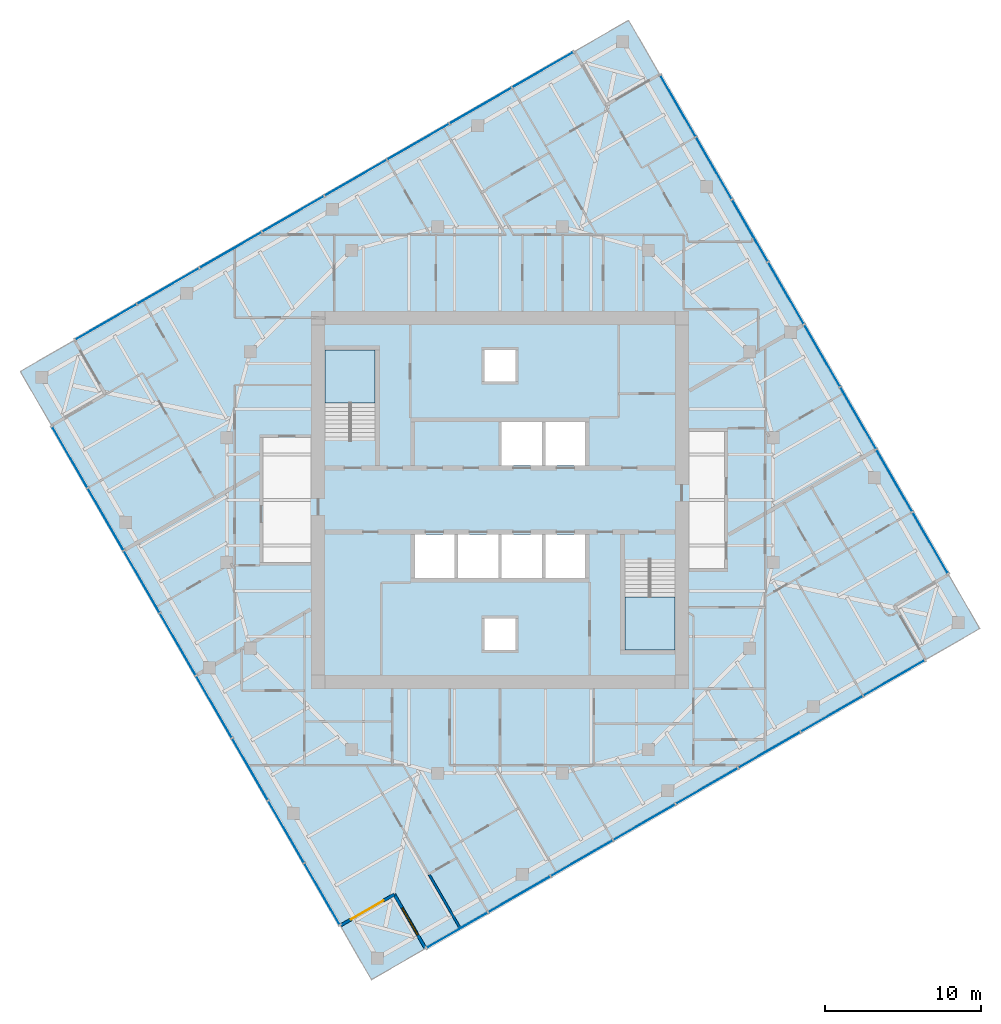
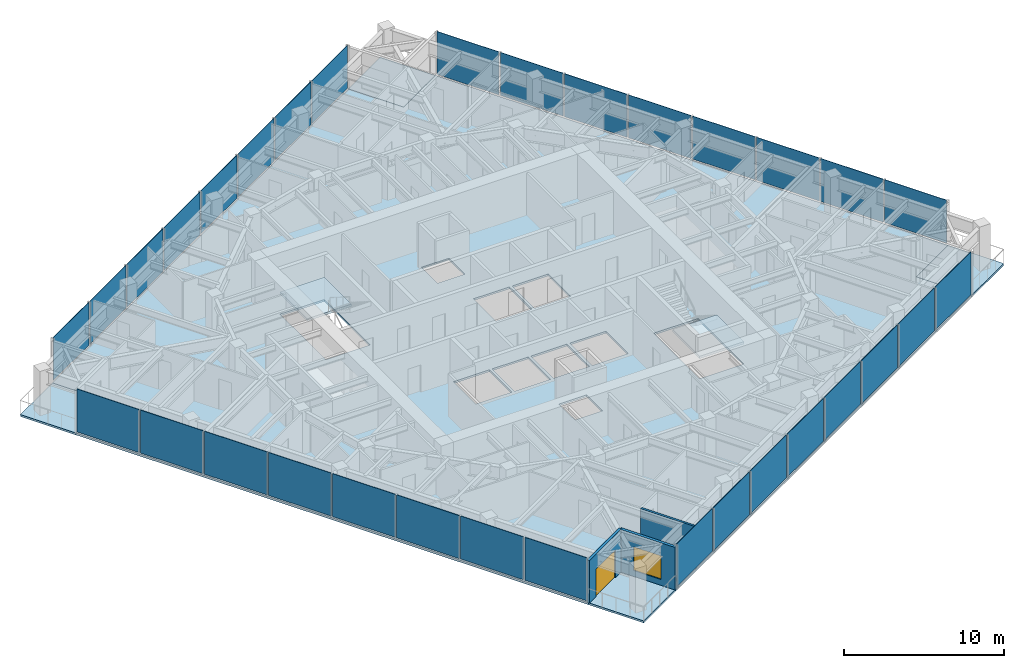
# One storey, part 6 of 13: 32 plates, 7 slabs, 3 walls, 1 door, 1 window, 2 openings, 6 elements without a shape of their own.
"""IFC4 building model written with IfcOpenShell, lengths in metres."""

from ifc_helpers import new_model, si_unit, direction, frame, frame_2d, origin, origin_2d, place, context, subcontext, project, spatial, polyline, rectangle, outline, extrude, material, layer, layer_set, type_object, element, fill, aggregate, save


model = new_model("IFC4")

# Units and contexts
model_context = context("Model", 3, precision=1e-05, world=origin(), true_north=direction((0.0, 1.0)))
body_context = subcontext(model_context, "Body", "Model", "MODEL_VIEW")
ifc_project = project(units=[si_unit("LENGTHUNIT", "METRE"), si_unit("AREAUNIT", "SQUARE_METRE"), si_unit("VOLUMEUNIT", "CUBIC_METRE"), si_unit("PLANEANGLEUNIT", "RADIAN"), si_unit("MASSUNIT", "GRAM", prefix="KILO")], contexts=[model_context])

# Site, building, storey
site_placement = place(None, origin())
site = spatial("IfcSite", under=ifc_project, at=site_placement, CompositionType="ELEMENT")
building_placement = place(site_placement, origin())
building = spatial("IfcBuilding", under=site, at=building_placement, Name="Torsade Residences", CompositionType="ELEMENT")
storey_placement = place(building_placement, frame((0.0, 0.0, 208.199951171875)))
storey = spatial("IfcBuildingStorey", under=building, at=storey_placement, Name="L57", CompositionType="ELEMENT", Elevation=208.199951171875)

# Slab
ifc_material_1 = material(Name="Concrete 40 MPa", Category="concrete")
ifc_layer_1 = layer(ifc_material_1, 0.14990234375)
ifc_layer_set_1 = layer_set([ifc_layer_1], Name="Concrete 40 MPa")
slab_type_1 = type_object("IfcSlabType", Name="COMPOSITE FLOOR SLAB 150", PredefinedType="FLOOR", material=ifc_layer_set_1)
slab_1_placement = place(storey_placement, frame((0.0, 0.0, -0.14990234375)))
element("IfcSlab", 1, at=slab_1_placement, inside=storey, type_object=slab_type_1, Name="Floor slab L57", PredefinedType="FLOOR", context=body_context, shape_type="SweptSolid", body=[
    extrude(outline(polyline([(35.228515625, 1.264404296875), (67.271484375, 19.764404296875), (65.271484375, 23.228515625), (68.735595703125, 25.228515625), (50.235595703125, 57.271484375), (46.771484375, 55.271484375), (44.771484375, 58.735595703125), (12.728515625, 40.235595703125), (14.728515625, 36.771484375), (11.264404296875, 34.771484375), (29.764404296875, 2.728515625), (33.228515625, 4.728515625), (35.228515625, 1.264404296875)]), holes=[polyline([(51.199951171875, 26.1201171875), (48.0, 26.1201171875), (48.0, 20.39990234375), (51.199951171875, 20.39990234375), (51.199951171875, 26.1201171875)]), polyline([(45.5, 27.800048828125), (42.89990234375, 27.800048828125), (42.89990234375, 25.0), (45.5, 25.0), (45.5, 27.800048828125)]), polyline([(45.5, 35.0), (42.89990234375, 35.0), (42.89990234375, 32.199951171875), (45.5, 32.199951171875), (45.5, 35.0)]), polyline([(42.699951171875, 25.0), (42.699951171875, 27.800048828125), (40.10009765625, 27.800048828125), (40.10009765625, 25.0), (42.699951171875, 25.0)]), polyline([(42.699951171875, 35.0), (40.10009765625, 35.0), (40.10009765625, 32.199951171875), (42.699951171875, 32.199951171875), (42.699951171875, 35.0)]), polyline([(41.0, 22.39990234375), (39.0, 22.39990234375), (39.0, 20.39990234375), (41.0, 20.39990234375), (41.0, 22.39990234375)]), polyline([(41.0, 37.60009765625), (41.0, 39.60009765625), (39.0, 39.60009765625), (39.0, 37.60009765625), (41.0, 37.60009765625)]), polyline([(39.89990234375, 25.0), (39.89990234375, 27.800048828125), (37.300048828125, 27.800048828125), (37.300048828125, 25.0), (39.89990234375, 25.0)]), polyline([(37.10009765625, 27.800048828125), (34.5, 27.800048828125), (34.5, 25.0), (37.10009765625, 25.0), (37.10009765625, 27.800048828125)]), polyline([(32.0, 33.8798828125), (32.0, 39.60009765625), (28.800048828125, 39.60009765625), (28.800048828125, 33.8798828125), (32.0, 33.8798828125)])]), origin(), (0.0, 0.0, 1.0), 0.14990234375),
])

# Curtain wall, plates
ifc_material_2 = material(Name="Aluminium and glass", Category="aluminium")
curtain_wall_type = type_object("IfcCurtainWallType", Name="FRITTED GLASS CURTAIN WALL HIGH ZONE", PredefinedType="NOTDEFINED", material=ifc_material_2)
curtain_wall_1_placement = place(storey_placement, origin())
curtain_wall_1 = element("IfcCurtainWall", 2, at=curtain_wall_1_placement, inside=storey, type_object=curtain_wall_type, Name="Curtain wall L57 face 1", PredefinedType="NOTDEFINED")
ifc_material_3 = material(Name="Laminated glass", Category="glass")
ifc_layer_2 = layer(ifc_material_3, 0.031982421875)
ifc_layer_set_2 = layer_set([ifc_layer_2], Name="Laminated glass")
plate_type_1 = type_object("IfcPlateType", Name="FRITTED GLASS PANEL", PredefinedType="CURTAIN_PANEL", material=ifc_layer_set_2)
plate_1_placement = place(storey_placement, frame((37.2529296875, 2.43310546875, 0.1201171875), z_axis=(0.0, 0.0, 1.0), x_axis=(0.866025404186, 0.499999999305, 0.0)))
plate_1 = element("IfcPlate", 3, at=plate_1_placement, type_object=plate_type_1, Name="Panel 1", PredefinedType="CURTAIN_PANEL", context=body_context, shape_type="SweptSolid", body=[
    extrude(rectangle(XDim=4.47509765625, YDim=0.031982421875, at=origin_2d()), origin(), (0.0, 0.0, 1.0), 3.280029296875),
])
plate_2_placement = place(storey_placement, frame((45.241943359375, 7.045654296875, 0.1201171875), z_axis=(0.0, 0.0, 1.0), x_axis=(0.866025404186, 0.499999999305, 0.0)))
plate_2 = element("IfcPlate", 4, at=plate_2_placement, type_object=plate_type_1, Name="Panel 3", PredefinedType="CURTAIN_PANEL", context=body_context, shape_type="SweptSolid", body=[
    extrude(rectangle(XDim=4.52490234375, YDim=0.031982421875, at=origin_2d()), origin(), (0.0, 0.0, 1.0), 3.280029296875),
])
plate_3_placement = place(storey_placement, frame((49.247314453125, 9.358154296875, 0.1201171875), z_axis=(0.0, 0.0, 1.0), x_axis=(0.866025404186, 0.499999999305, 0.0)))
plate_3 = element("IfcPlate", 5, at=plate_3_placement, type_object=plate_type_1, Name="Panel 4", PredefinedType="CURTAIN_PANEL", context=body_context, shape_type="SweptSolid", body=[
    extrude(rectangle(XDim=4.52490234375, YDim=0.031982421875, at=origin_2d()), origin(), (0.0, 0.0, 1.0), 3.280029296875),
])
plate_4_placement = place(storey_placement, frame((53.252685546875, 11.670654296875, 0.1201171875), z_axis=(0.0, 0.0, 1.0), x_axis=(0.866025404186, 0.499999999305, 0.0)))
plate_4 = element("IfcPlate", 6, at=plate_4_placement, type_object=plate_type_1, Name="Panel 5", PredefinedType="CURTAIN_PANEL", context=body_context, shape_type="SweptSolid", body=[
    extrude(rectangle(XDim=4.52490234375, YDim=0.031982421875, at=origin_2d()), origin(), (0.0, 0.0, 1.0), 3.280029296875),
])
plate_5_placement = place(storey_placement, frame((61.263427734375, 16.295654296875, 0.1201171875), z_axis=(0.0, 0.0, 1.0), x_axis=(0.866025404186, 0.499999999305, 0.0)))
plate_5 = element("IfcPlate", 7, at=plate_5_placement, type_object=plate_type_1, Name="Panel 7", PredefinedType="CURTAIN_PANEL", context=body_context, shape_type="SweptSolid", body=[
    extrude(rectangle(XDim=4.52490234375, YDim=0.031982421875, at=origin_2d()), origin(), (0.0, 0.0, 1.0), 3.280029296875),
])
plate_6_placement = place(storey_placement, frame((65.2470703125, 18.595703125, 0.1201171875), z_axis=(0.0, 0.0, 1.0), x_axis=(0.866025404186, 0.499999999305, 0.0)))
plate_6 = element("IfcPlate", 8, at=plate_6_placement, type_object=plate_type_1, Name="Panel 8", PredefinedType="CURTAIN_PANEL", context=body_context, shape_type="SweptSolid", body=[
    extrude(rectangle(XDim=4.47509765625, YDim=0.031982421875, at=origin_2d()), origin(), (0.0, 0.0, 1.0), 3.280029296875),
])

curtain_wall_2_placement = place(storey_placement, origin())
curtain_wall_2 = element("IfcCurtainWall", 9, at=curtain_wall_2_placement, inside=storey, type_object=curtain_wall_type, Name="Curtain wall L57 face 4", PredefinedType="NOTDEFINED")
plate_7_placement = place(storey_placement, frame((67.56689453125, 27.2529296875, 0.1201171875), z_axis=(0.0, 0.0, 1.0), x_axis=(-0.499999999305, 0.866025404186, 0.0)))
plate_7 = element("IfcPlate", 10, at=plate_7_placement, type_object=plate_type_1, Name="Panel 1", PredefinedType="CURTAIN_PANEL", context=body_context, shape_type="SweptSolid", body=[
    extrude(rectangle(XDim=4.47509765625, YDim=0.031982421875, at=origin_2d()), origin(), (0.0, 0.0, 1.0), 3.280029296875),
])
plate_8_placement = place(storey_placement, frame((62.954345703125, 35.241943359375, 0.1201171875), z_axis=(0.0, 0.0, 1.0), x_axis=(-0.499999999305, 0.866025404186, 0.0)))
plate_8 = element("IfcPlate", 11, at=plate_8_placement, type_object=plate_type_1, Name="Panel 3", PredefinedType="CURTAIN_PANEL", context=body_context, shape_type="SweptSolid", body=[
    extrude(rectangle(XDim=4.52490234375, YDim=0.031982421875, at=origin_2d()), origin(), (0.0, 0.0, 1.0), 3.280029296875),
])
plate_9_placement = place(storey_placement, frame((60.641845703125, 39.247314453125, 0.1201171875), z_axis=(0.0, 0.0, 1.0), x_axis=(-0.499999999305, 0.866025404186, 0.0)))
plate_9 = element("IfcPlate", 12, at=plate_9_placement, type_object=plate_type_1, Name="Panel 4", PredefinedType="CURTAIN_PANEL", context=body_context, shape_type="SweptSolid", body=[
    extrude(rectangle(XDim=4.52490234375, YDim=0.031982421875, at=origin_2d()), origin(), (0.0, 0.0, 1.0), 3.280029296875),
])
plate_10_placement = place(storey_placement, frame((58.329345703125, 43.252685546875, 0.1201171875), z_axis=(0.0, 0.0, 1.0), x_axis=(-0.499999999305, 0.866025404186, 0.0)))
plate_10 = element("IfcPlate", 13, at=plate_10_placement, type_object=plate_type_1, Name="Panel 5", PredefinedType="CURTAIN_PANEL", context=body_context, shape_type="SweptSolid", body=[
    extrude(rectangle(XDim=4.52490234375, YDim=0.031982421875, at=origin_2d()), origin(), (0.0, 0.0, 1.0), 3.280029296875),
])
plate_11_placement = place(storey_placement, frame((53.704345703125, 51.263427734375, 0.1201171875), z_axis=(0.0, 0.0, 1.0), x_axis=(-0.499999999305, 0.866025404186, 0.0)))
plate_11 = element("IfcPlate", 14, at=plate_11_placement, type_object=plate_type_1, Name="Panel 7", PredefinedType="CURTAIN_PANEL", context=body_context, shape_type="SweptSolid", body=[
    extrude(rectangle(XDim=4.52490234375, YDim=0.031982421875, at=origin_2d()), origin(), (0.0, 0.0, 1.0), 3.280029296875),
])
plate_12_placement = place(storey_placement, frame((51.404296875, 55.2470703125, 0.1201171875), z_axis=(0.0, 0.0, 1.0), x_axis=(-0.499999999305, 0.866025404186, 0.0)))
plate_12 = element("IfcPlate", 15, at=plate_12_placement, type_object=plate_type_1, Name="Panel 8", PredefinedType="CURTAIN_PANEL", context=body_context, shape_type="SweptSolid", body=[
    extrude(rectangle(XDim=4.47509765625, YDim=0.031982421875, at=origin_2d()), origin(), (0.0, 0.0, 1.0), 3.280029296875),
])

curtain_wall_3_placement = place(storey_placement, origin())
curtain_wall_3 = element("IfcCurtainWall", 16, at=curtain_wall_3_placement, inside=storey, type_object=curtain_wall_type, Name="Curtain wall L57 face 7", PredefinedType="NOTDEFINED")
plate_13_placement = place(storey_placement, frame((42.7470703125, 57.56689453125, 0.1201171875), z_axis=(0.0, 0.0, 1.0), x_axis=(-0.866025404186, -0.499999999305, 0.0)))
plate_13 = element("IfcPlate", 17, at=plate_13_placement, type_object=plate_type_1, Name="Panel 1", PredefinedType="CURTAIN_PANEL", context=body_context, shape_type="SweptSolid", body=[
    extrude(rectangle(XDim=4.47509765625, YDim=0.031982421875, at=origin_2d()), origin(), (0.0, 0.0, 1.0), 3.280029296875),
])
plate_14_placement = place(storey_placement, frame((34.758056640625, 52.954345703125, 0.1201171875), z_axis=(0.0, 0.0, 1.0), x_axis=(-0.866025404186, -0.499999999305, 0.0)))
plate_14 = element("IfcPlate", 18, at=plate_14_placement, type_object=plate_type_1, Name="Panel 3", PredefinedType="CURTAIN_PANEL", context=body_context, shape_type="SweptSolid", body=[
    extrude(rectangle(XDim=4.52490234375, YDim=0.031982421875, at=origin_2d()), origin(), (0.0, 0.0, 1.0), 3.280029296875),
])
plate_15_placement = place(storey_placement, frame((30.752685546875, 50.641845703125, 0.1201171875), z_axis=(0.0, 0.0, 1.0), x_axis=(-0.866025404186, -0.499999999305, 0.0)))
plate_15 = element("IfcPlate", 19, at=plate_15_placement, type_object=plate_type_1, Name="Panel 4", PredefinedType="CURTAIN_PANEL", context=body_context, shape_type="SweptSolid", body=[
    extrude(rectangle(XDim=4.52490234375, YDim=0.031982421875, at=origin_2d()), origin(), (0.0, 0.0, 1.0), 3.280029296875),
])
plate_16_placement = place(storey_placement, frame((26.747314453125, 48.329345703125, 0.1201171875), z_axis=(0.0, 0.0, 1.0), x_axis=(-0.866025404186, -0.499999999305, 0.0)))
plate_16 = element("IfcPlate", 20, at=plate_16_placement, type_object=plate_type_1, Name="Panel 5", PredefinedType="CURTAIN_PANEL", context=body_context, shape_type="SweptSolid", body=[
    extrude(rectangle(XDim=4.52490234375, YDim=0.031982421875, at=origin_2d()), origin(), (0.0, 0.0, 1.0), 3.280029296875),
])
plate_17_placement = place(storey_placement, frame((18.736572265625, 43.704345703125, 0.1201171875), z_axis=(0.0, 0.0, 1.0), x_axis=(-0.866025404186, -0.499999999305, 0.0)))
plate_17 = element("IfcPlate", 21, at=plate_17_placement, type_object=plate_type_1, Name="Panel 7", PredefinedType="CURTAIN_PANEL", context=body_context, shape_type="SweptSolid", body=[
    extrude(rectangle(XDim=4.52490234375, YDim=0.031982421875, at=origin_2d()), origin(), (0.0, 0.0, 1.0), 3.280029296875),
])
plate_18_placement = place(storey_placement, frame((14.7529296875, 41.404296875, 0.1201171875), z_axis=(0.0, 0.0, 1.0), x_axis=(-0.866025404186, -0.499999999305, 0.0)))
plate_18 = element("IfcPlate", 22, at=plate_18_placement, type_object=plate_type_1, Name="Panel 8", PredefinedType="CURTAIN_PANEL", context=body_context, shape_type="SweptSolid", body=[
    extrude(rectangle(XDim=4.47509765625, YDim=0.031982421875, at=origin_2d()), origin(), (0.0, 0.0, 1.0), 3.280029296875),
])

curtain_wall_4_placement = place(storey_placement, origin())
curtain_wall_4 = element("IfcCurtainWall", 23, at=curtain_wall_4_placement, inside=storey, type_object=curtain_wall_type, Name="Curtain wall L57 face 10", PredefinedType="NOTDEFINED")
plate_19_placement = place(storey_placement, frame((12.43310546875, 32.7470703125, 0.1201171875), z_axis=(0.0, 0.0, 1.0), x_axis=(0.499999999305, -0.866025404186, 0.0)))
plate_19 = element("IfcPlate", 24, at=plate_19_placement, type_object=plate_type_1, Name="Panel 1", PredefinedType="CURTAIN_PANEL", context=body_context, shape_type="SweptSolid", body=[
    extrude(rectangle(XDim=4.47509765625, YDim=0.031982421875, at=origin_2d()), origin(), (0.0, 0.0, 1.0), 3.280029296875),
])
plate_20_placement = place(storey_placement, frame((17.045654296875, 24.758056640625, 0.1201171875), z_axis=(0.0, 0.0, 1.0), x_axis=(0.499999999305, -0.866025404186, 0.0)))
plate_20 = element("IfcPlate", 25, at=plate_20_placement, type_object=plate_type_1, Name="Panel 3", PredefinedType="CURTAIN_PANEL", context=body_context, shape_type="SweptSolid", body=[
    extrude(rectangle(XDim=4.52490234375, YDim=0.031982421875, at=origin_2d()), origin(), (0.0, 0.0, 1.0), 3.280029296875),
])
plate_21_placement = place(storey_placement, frame((19.358154296875, 20.752685546875, 0.1201171875), z_axis=(0.0, 0.0, 1.0), x_axis=(0.499999999305, -0.866025404186, 0.0)))
plate_21 = element("IfcPlate", 26, at=plate_21_placement, type_object=plate_type_1, Name="Panel 4", PredefinedType="CURTAIN_PANEL", context=body_context, shape_type="SweptSolid", body=[
    extrude(rectangle(XDim=4.52490234375, YDim=0.031982421875, at=origin_2d()), origin(), (0.0, 0.0, 1.0), 3.280029296875),
])
plate_22_placement = place(storey_placement, frame((21.670654296875, 16.747314453125, 0.1201171875), z_axis=(0.0, 0.0, 1.0), x_axis=(0.499999999305, -0.866025404186, 0.0)))
plate_22 = element("IfcPlate", 27, at=plate_22_placement, type_object=plate_type_1, Name="Panel 5", PredefinedType="CURTAIN_PANEL", context=body_context, shape_type="SweptSolid", body=[
    extrude(rectangle(XDim=4.52490234375, YDim=0.031982421875, at=origin_2d()), origin(), (0.0, 0.0, 1.0), 3.280029296875),
])
plate_23_placement = place(storey_placement, frame((26.295654296875, 8.736572265625, 0.1201171875), z_axis=(0.0, 0.0, 1.0), x_axis=(0.499999999305, -0.866025404186, 0.0)))
plate_23 = element("IfcPlate", 28, at=plate_23_placement, type_object=plate_type_1, Name="Panel 7", PredefinedType="CURTAIN_PANEL", context=body_context, shape_type="SweptSolid", body=[
    extrude(rectangle(XDim=4.52490234375, YDim=0.031982421875, at=origin_2d()), origin(), (0.0, 0.0, 1.0), 3.280029296875),
])
plate_24_placement = place(storey_placement, frame((28.595703125, 4.7529296875, 0.1201171875), z_axis=(0.0, 0.0, 1.0), x_axis=(0.499999999305, -0.866025404186, 0.0)))
plate_24 = element("IfcPlate", 29, at=plate_24_placement, type_object=plate_type_1, Name="Panel 8", PredefinedType="CURTAIN_PANEL", context=body_context, shape_type="SweptSolid", body=[
    extrude(rectangle(XDim=4.47509765625, YDim=0.031982421875, at=origin_2d()), origin(), (0.0, 0.0, 1.0), 3.280029296875),
])

# Plate
ifc_material_4 = material(Name="Laminated glass", Category="glass")
ifc_layer_3 = layer(ifc_material_4, 0.0400390625)
ifc_layer_set_3 = layer_set([ifc_layer_3], Name="Laminated glass")
plate_type_2 = type_object("IfcPlateType", Name="OPERABLE VENT PANEL", PredefinedType="CURTAIN_PANEL", material=ifc_layer_set_3)
plate_25_placement = place(storey_placement, frame((41.236572265625, 4.733154296875, 0.1201171875), z_axis=(0.0, 0.0, 1.0), x_axis=(0.866025404186, 0.499999999305, 0.0)))
plate_25 = element("IfcPlate", 30, at=plate_25_placement, type_object=plate_type_2, Name="Panel 2", PredefinedType="CURTAIN_PANEL", context=body_context, shape_type="SweptSolid", body=[
    extrude(rectangle(XDim=4.52490234375, YDim=0.0400390625, at=origin_2d()), origin(), (0.0, 0.0, 1.0), 3.280029296875),
])

plate_26_placement = place(storey_placement, frame((57.258056640625, 13.983154296875, 0.1201171875), z_axis=(0.0, 0.0, 1.0), x_axis=(0.866025404186, 0.499999999305, 0.0)))
plate_26 = element("IfcPlate", 31, at=plate_26_placement, type_object=plate_type_2, Name="Panel 6", PredefinedType="CURTAIN_PANEL", context=body_context, shape_type="SweptSolid", body=[
    extrude(rectangle(XDim=4.52490234375, YDim=0.0400390625, at=origin_2d()), origin(), (0.0, 0.0, 1.0), 3.280029296875),
])

aggregate(curtain_wall_1, [plate_1, plate_25, plate_2, plate_3, plate_4, plate_26, plate_5, plate_6])

plate_27_placement = place(storey_placement, frame((65.266845703125, 31.236572265625, 0.1201171875), z_axis=(0.0, 0.0, 1.0), x_axis=(-0.499999999305, 0.866025404186, 0.0)))
plate_27 = element("IfcPlate", 32, at=plate_27_placement, type_object=plate_type_2, Name="Panel 2", PredefinedType="CURTAIN_PANEL", context=body_context, shape_type="SweptSolid", body=[
    extrude(rectangle(XDim=4.52490234375, YDim=0.0400390625, at=origin_2d()), origin(), (0.0, 0.0, 1.0), 3.280029296875),
])

plate_28_placement = place(storey_placement, frame((56.016845703125, 47.258056640625, 0.1201171875), z_axis=(0.0, 0.0, 1.0), x_axis=(-0.499999999305, 0.866025404186, 0.0)))
plate_28 = element("IfcPlate", 33, at=plate_28_placement, type_object=plate_type_2, Name="Panel 6", PredefinedType="CURTAIN_PANEL", context=body_context, shape_type="SweptSolid", body=[
    extrude(rectangle(XDim=4.52490234375, YDim=0.0400390625, at=origin_2d()), origin(), (0.0, 0.0, 1.0), 3.280029296875),
])

aggregate(curtain_wall_2, [plate_7, plate_27, plate_8, plate_9, plate_10, plate_28, plate_11, plate_12])

plate_29_placement = place(storey_placement, frame((38.763427734375, 55.266845703125, 0.1201171875), z_axis=(0.0, 0.0, 1.0), x_axis=(-0.866025404186, -0.499999999305, 0.0)))
plate_29 = element("IfcPlate", 34, at=plate_29_placement, type_object=plate_type_2, Name="Panel 2", PredefinedType="CURTAIN_PANEL", context=body_context, shape_type="SweptSolid", body=[
    extrude(rectangle(XDim=4.52490234375, YDim=0.0400390625, at=origin_2d()), origin(), (0.0, 0.0, 1.0), 3.280029296875),
])

plate_30_placement = place(storey_placement, frame((22.741943359375, 46.016845703125, 0.1201171875), z_axis=(0.0, 0.0, 1.0), x_axis=(-0.866025404186, -0.499999999305, 0.0)))
plate_30 = element("IfcPlate", 35, at=plate_30_placement, type_object=plate_type_2, Name="Panel 6", PredefinedType="CURTAIN_PANEL", context=body_context, shape_type="SweptSolid", body=[
    extrude(rectangle(XDim=4.52490234375, YDim=0.0400390625, at=origin_2d()), origin(), (0.0, 0.0, 1.0), 3.280029296875),
])

aggregate(curtain_wall_3, [plate_13, plate_29, plate_14, plate_15, plate_16, plate_30, plate_17, plate_18])

plate_31_placement = place(storey_placement, frame((14.733154296875, 28.763427734375, 0.1201171875), z_axis=(0.0, 0.0, 1.0), x_axis=(0.499999999305, -0.866025404186, 0.0)))
plate_31 = element("IfcPlate", 36, at=plate_31_placement, type_object=plate_type_2, Name="Panel 2", PredefinedType="CURTAIN_PANEL", context=body_context, shape_type="SweptSolid", body=[
    extrude(rectangle(XDim=4.52490234375, YDim=0.0400390625, at=origin_2d()), origin(), (0.0, 0.0, 1.0), 3.280029296875),
])

plate_32_placement = place(storey_placement, frame((23.983154296875, 12.741943359375, 0.1201171875), z_axis=(0.0, 0.0, 1.0), x_axis=(0.499999999305, -0.866025404186, 0.0)))
plate_32 = element("IfcPlate", 37, at=plate_32_placement, type_object=plate_type_2, Name="Panel 6", PredefinedType="CURTAIN_PANEL", context=body_context, shape_type="SweptSolid", body=[
    extrude(rectangle(XDim=4.52490234375, YDim=0.0400390625, at=origin_2d()), origin(), (0.0, 0.0, 1.0), 3.280029296875),
])

aggregate(curtain_wall_4, [plate_19, plate_31, plate_20, plate_21, plate_22, plate_32, plate_23, plate_24])

# Stair, slab
ifc_material_5 = material(Name="Precast concrete 40 MPa", Category="concrete")
stair_type = type_object("IfcStairType", Name="HALF-TURN FIRE STAIR 1500x3400", PredefinedType="HALF_TURN_STAIR", material=ifc_material_5)
stair_1_placement = place(storey_placement, origin())
stair_1 = element("IfcStair", 38, at=stair_1_placement, inside=storey, type_object=stair_type, Name="Stair ST1 L57", PredefinedType="HALF_TURN_STAIR")
ifc_material_6 = material(Name="Precast concrete 40 MPa", Category="concrete")
ifc_layer_4 = layer(ifc_material_6, 0.179931640625)
ifc_layer_set_4 = layer_set([ifc_layer_4], Name="Precast concrete 40 MPa")
slab_type_2 = type_object("IfcSlabType", Name="PRECAST STAIR LANDING 180", PredefinedType="LANDING", material=ifc_layer_set_4)
slab_2_placement = place(storey_placement, frame((0.0, 0.0, 1.52001953125)))
slab_2 = element("IfcSlab", 39, at=slab_2_placement, type_object=slab_type_2, Name="ST1 landing 1", PredefinedType="LANDING", context=body_context, shape_type="SweptSolid", body=[
    extrude(outline(polyline([(28.800048828125, 36.2099609375), (32.0, 36.2099609375), (32.0, 39.60009765625), (28.800048828125, 39.60009765625), (28.800048828125, 36.2099609375)])), origin(), (0.0, 0.0, 1.0), 0.179931640625),
])
aggregate(stair_1, [slab_2])

stair_2_placement = place(storey_placement, origin())
stair_2 = element("IfcStair", 40, at=stair_2_placement, inside=storey, type_object=stair_type, Name="Stair ST2 L57", PredefinedType="HALF_TURN_STAIR")
slab_3_placement = place(storey_placement, frame((0.0, 0.0, 1.52001953125)))
slab_3 = element("IfcSlab", 41, at=slab_3_placement, type_object=slab_type_2, Name="ST2 landing 1", PredefinedType="LANDING", context=body_context, shape_type="SweptSolid", body=[
    extrude(outline(polyline([(48.0, 20.39990234375), (51.199951171875, 20.39990234375), (51.199951171875, 23.7900390625), (48.0, 23.7900390625), (48.0, 20.39990234375)])), origin(), (0.0, 0.0, 1.0), 0.179931640625),
])
aggregate(stair_2, [slab_3])

# Slabs
ifc_material_7 = material(Name="Concrete 40 MPa", Category="concrete")
ifc_layer_5 = layer(ifc_material_7, 0.14990234375)
ifc_layer_set_5 = layer_set([ifc_layer_5], Name="Concrete 40 MPa")
slab_type_3 = type_object("IfcSlabType", Name="TERRACE SLAB 150", PredefinedType="FLOOR", material=ifc_layer_set_5)
slab_4_placement = place(storey_placement, frame((0.0, 0.0, -0.14990234375)))
element("IfcSlab", 42, at=slab_4_placement, inside=storey, type_object=slab_type_3, Name="Corner terrace slab SE L57", PredefinedType="FLOOR", context=body_context, shape_type="SweptSolid", body=[
    extrude(outline(polyline([(67.271484375, 19.764404296875), (70.735595703125, 21.764404296875), (68.735595703125, 25.228515625), (65.271484375, 23.228515625), (67.271484375, 19.764404296875)])), origin(), (0.0, 0.0, 1.0), 0.14990234375),
])
slab_5_placement = place(storey_placement, frame((0.0, 0.0, -0.14990234375)))
element("IfcSlab", 43, at=slab_5_placement, inside=storey, type_object=slab_type_3, Name="Corner terrace slab NE L57", PredefinedType="FLOOR", context=body_context, shape_type="SweptSolid", body=[
    extrude(outline(polyline([(46.771484375, 55.271484375), (50.235595703125, 57.271484375), (48.235595703125, 60.735595703125), (44.771484375, 58.735595703125), (46.771484375, 55.271484375)])), origin(), (0.0, 0.0, 1.0), 0.14990234375),
])
slab_6_placement = place(storey_placement, frame((0.0, 0.0, -0.14990234375)))
element("IfcSlab", 44, at=slab_6_placement, inside=storey, type_object=slab_type_3, Name="Corner terrace slab NW L57", PredefinedType="FLOOR", context=body_context, shape_type="SweptSolid", body=[
    extrude(outline(polyline([(11.264404296875, 34.771484375), (14.728515625, 36.771484375), (12.728515625, 40.235595703125), (9.264404296875, 38.235595703125), (11.264404296875, 34.771484375)])), origin(), (0.0, 0.0, 1.0), 0.14990234375),
])
slab_7_placement = place(storey_placement, frame((0.0, 0.0, -0.14990234375)))
element("IfcSlab", 45, at=slab_7_placement, inside=storey, type_object=slab_type_3, Name="Corner terrace slab SW L57", PredefinedType="FLOOR", context=body_context, shape_type="SweptSolid", body=[
    extrude(outline(polyline([(31.764404296875, -0.735595703125), (35.228515625, 1.264404296875), (33.228515625, 4.728515625), (29.764404296875, 2.728515625), (31.764404296875, -0.735595703125)])), origin(), (0.0, 0.0, 1.0), 0.14990234375),
])

# Wall
ifc_material_8 = material(Name="Reinforced blockwork", Category="masonry")
ifc_layer_6 = layer(ifc_material_8, 0.14990234375)
ifc_layer_set_6 = layer_set([ifc_layer_6], Name="Reinforced blockwork")
wall_type_1 = type_object("IfcWallType", Name="SERVICE ROOM WALL 150", PredefinedType="SOLIDWALL", material=ifc_layer_set_6)
wall_1_placement = place(storey_placement, frame((35.467041015625, 5.9892578125, 0.0), z_axis=(0.0, 0.0, 1.0), x_axis=(0.499998311937, -0.866026378386, 0.0)))
element("IfcWall", 46, at=wall_1_placement, inside=storey, type_object=wall_type_1, Name="Service room wall L57", PredefinedType="SOLIDWALL", context=body_context, shape_type="SweptSolid", body=[
    extrude(rectangle(XDim=3.9326171875, YDim=0.14990234375, at=frame_2d((1.96630859375, 0.0))), origin(), (0.0, 0.0, 1.0), 3.25),
])

# Wall, opening, door
ifc_material_9 = material(Name="Stone-faced precast concrete 40 MPa panel", Category="masonry")
ifc_layer_7 = layer(ifc_material_9, 0.199951171875)
ifc_layer_set_7 = layer_set([ifc_layer_7], Name="Stone-faced precast concrete 40 MPa panel")
wall_type_2 = type_object("IfcWallType", Name="TERRACE WALL 200", PredefinedType="SOLIDWALL", material=ifc_layer_set_7)
wall_2_placement = place(storey_placement, frame((29.764404296875, 2.728515625, 0.0), z_axis=(0.0, 0.0, 1.0), x_axis=(0.866026010844, 0.49999894854, 0.0)))
wall_2 = element("IfcWall", 47, at=wall_2_placement, inside=storey, type_object=wall_type_2, Name="Terrace wall L57 11", PredefinedType="SOLIDWALL", context=body_context, shape_type="SweptSolid", body=[
    extrude(rectangle(XDim=4.0, YDim=0.199951171875, at=frame_2d((2.0, 0.0))), origin(), (0.0, 0.0, 1.0), 3.25),
])
opening_1_placement = place(wall_2_placement, frame((0.800048828125, 0.0, 0.0)))
opening_1 = element("IfcOpeningElement", 48, at=opening_1_placement, cuts=wall_2, Name="Opening D10A", PredefinedType="OPENING", context=body_context, shape_type="SweptSolid", body=[
    extrude(rectangle(XDim=2.39990234375, YDim=2.10009765625, at=frame_2d((1.199951171875, 1.050048828125))), frame((0.0, 0.10986328125, 0.0), z_axis=(0.0, -1.0, 0.0), x_axis=(1.0, 0.0, 0.0)), (0.0, 0.0, 1.0), 0.219970703125),
])
ifc_material_10 = material(Name="Aluminium-framed glass door", Category="aluminium")
door_type = type_object("IfcDoorType", Name="TERRACE SLIDING DOOR 2400x2100", OperationType="SLIDING_TO_LEFT", PredefinedType="DOOR", material=ifc_material_10)
door_placement = place(opening_1_placement, origin())
door = element("IfcDoor", 49, at=door_placement, inside=storey, type_object=door_type, Name="Terrace door L57 11", OperationType="SLIDING_TO_LEFT", OverallHeight=2.10009765625, OverallWidth=2.39990234375, PredefinedType="DOOR", context=body_context, shape_type="SweptSolid", body=[
    extrude(rectangle(XDim=2.39990234375, YDim=2.10009765625, at=frame_2d((1.199951171875, 1.050048828125))), frame((0.0, 0.02490234375, 0.0), z_axis=(0.0, -1.0, 0.0), x_axis=(1.0, 0.0, 0.0)), (0.0, 0.0, 1.0), 0.050048828125),
])
fill(opening_1, door)

# Wall, opening, window
wall_3_placement = place(storey_placement, frame((33.228515625, 4.728515625, 0.0), z_axis=(0.0, 0.0, 1.0), x_axis=(0.49999894854, -0.866026010844, 0.0)))
wall_3 = element("IfcWall", 50, at=wall_3_placement, inside=storey, type_object=wall_type_2, Name="Terrace wall L57 12", PredefinedType="SOLIDWALL", context=body_context, shape_type="SweptSolid", body=[
    extrude(rectangle(XDim=4.0, YDim=0.199951171875, at=frame_2d((2.0, 0.0))), origin(), (0.0, 0.0, 1.0), 3.25),
])
opening_2_placement = place(wall_3_placement, frame((1.0, 0.0, 0.449951171875)))
opening_2 = element("IfcOpeningElement", 51, at=opening_2_placement, cuts=wall_3, Name="Opening W1B", PredefinedType="OPENING", context=body_context, shape_type="SweptSolid", body=[
    extrude(rectangle(XDim=2.0, YDim=1.800048828125, at=frame_2d((1.0, 0.89990234375))), frame((0.0, 0.10986328125, 0.0), z_axis=(0.0, -1.0, 0.0), x_axis=(1.0, 0.0, 0.0)), (0.0, 0.0, 1.0), 0.219970703125),
])
ifc_material_11 = material(Name="Aluminium-framed glass window", Category="aluminium")
window_type = type_object("IfcWindowType", Name="TERRACE WINDOW 2000x1800", PartitioningType="SINGLE_PANEL", PredefinedType="WINDOW", material=ifc_material_11)
window_placement = place(opening_2_placement, origin())
window = element("IfcWindow", 52, at=window_placement, inside=storey, type_object=window_type, Name="Terrace window L57 12", OverallHeight=1.800048828125, OverallWidth=2.0, PartitioningType="SINGLE_PANEL", PredefinedType="WINDOW", context=body_context, shape_type="SweptSolid", body=[
    extrude(rectangle(XDim=2.0, YDim=1.800048828125, at=frame_2d((1.0, 0.89990234375))), frame((0.0, 0.030029296875, 0.0), z_axis=(0.0, -1.0, 0.0), x_axis=(1.0, 0.0, 0.0)), (0.0, 0.0, 1.0), 0.06005859375),
])
fill(opening_2, window)

save(model, "model.ifc")
